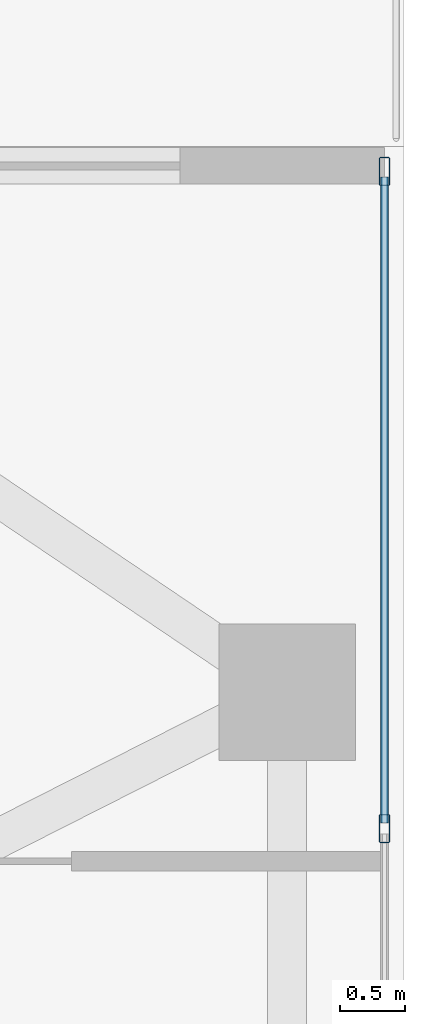
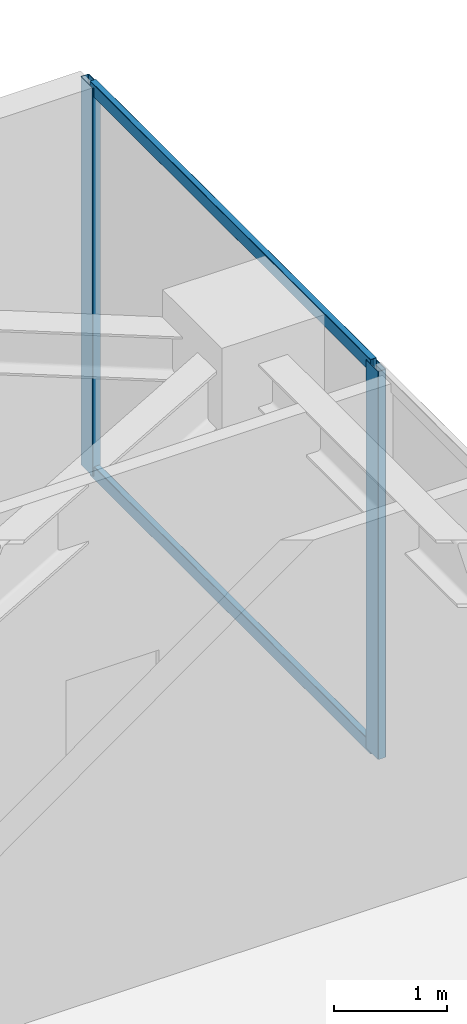
# One storey, part 25 of 37: 4 members, 1 element without a shape of its own.
"""IFC4 building model written with IfcOpenShell, lengths in metres."""

import ifcopenshell
import ifcopenshell.guid

model = None  # the IFC model being written
_history = None  # IfcOwnerHistory: only IFC2X3 demands one
_inside = {}  # id of a spatial element -> (the spatial element, [elements in it])
_under = {}  # id of a project, library or spatial element -> (it, [spatial elements below it])
_declared = {}  # id of a project -> (the project, [libraries it declares])
_typed = {}  # id of a type object -> (the type object, [elements of that type])
_made_of = {}  # id of a material, layer set ... -> (it, [elements and type objects made of it])


def new_model(schema):
    """Start an empty IFC model of exactly this schema.

    Asked for "IFC4X3", IfcOpenShell would pick the latest addendum, in which some entities
    have other attributes; the version numbers below select the first issue.
    IFC2X3 requires an IfcOwnerHistory on every rooted entity: one is made here for all.
    """
    global model, _history
    if schema == "IFC4X3":
        model = ifcopenshell.file(schema_version=(4, 3, 0, 0))
    else:
        model = ifcopenshell.file(schema=schema)
    _inside.clear()
    _under.clear()
    _declared.clear()
    _typed.clear()
    _made_of.clear()
    _history = None
    if model.schema == "IFC2X3":
        org = make("IfcOrganization", Name="unknown")
        user = make(
            "IfcPersonAndOrganization",
            ThePerson=make("IfcPerson", FamilyName="unknown"),
            TheOrganization=org,
        )
        app = make(
            "IfcApplication",
            ApplicationDeveloper=org,
            Version="unknown",
            ApplicationFullName="unknown",
            ApplicationIdentifier="unknown",
        )
        _history = make(
            "IfcOwnerHistory",
            OwningUser=user,
            OwningApplication=app,
            ChangeAction="ADDED",
            CreationDate=0,
        )
    return model


def make(cls, **values):
    """One entity of the class cls with the attributes given. An attribute that is None is left unset."""
    return model.create_entity(
        cls, **{name: value for name, value in values.items() if value is not None}
    )


def rooted(cls, **values):
    """An entity with a GlobalId (a new one), such as an element, a storey or a relation."""
    return make(cls, GlobalId=ifcopenshell.guid.new(), OwnerHistory=_history, **values)


def si_unit(unit_type, name, prefix=None):
    """IfcSIUnit, for example si_unit("LENGTHUNIT", "METRE", prefix="MILLI")."""
    return make("IfcSIUnit", UnitType=unit_type, Prefix=prefix, Name=name)


def assignment(units):
    """IfcUnitAssignment: the units of a project."""
    return None if units is None else make("IfcUnitAssignment", Units=units)


def point(xyz):
    """IfcCartesianPoint."""
    return None if xyz is None else make("IfcCartesianPoint", Coordinates=xyz)


def direction(xyz):
    """IfcDirection."""
    return None if xyz is None else make("IfcDirection", DirectionRatios=xyz)


def frame(location, z_axis=None, x_axis=None):
    """IfcAxis2Placement3D, a coordinate frame: its origin and axes. An axis left out is left unset."""
    return make(
        "IfcAxis2Placement3D",
        Location=point(location),
        Axis=direction(z_axis),
        RefDirection=direction(x_axis),
    )


def frame_2d(location, x_axis=None):
    """IfcAxis2Placement2D, a coordinate frame in the plane: its origin and x axis."""
    return make(
        "IfcAxis2Placement2D", Location=point(location), RefDirection=direction(x_axis)
    )


def origin():
    """The frame at (0, 0, 0) with its axes left unset."""
    return frame((0.0, 0.0, 0.0))


def origin_2d():
    """The frame at (0, 0) in the plane with its x axis left unset."""
    return frame_2d((0.0, 0.0))


def place(relative_to, where):
    """IfcLocalPlacement: puts the frame where relative to a parent placement (None: the world)."""
    return make(
        "IfcLocalPlacement", PlacementRelTo=relative_to, RelativePlacement=where
    )


def context(
    kind, dimensions, precision=None, world=None, true_north=None, identifier=None
):
    """IfcGeometricRepresentationContext, for example the 3D "Model" context."""
    return make(
        "IfcGeometricRepresentationContext",
        ContextIdentifier=identifier,
        ContextType=kind,
        CoordinateSpaceDimension=dimensions,
        Precision=precision,
        WorldCoordinateSystem=world,
        TrueNorth=true_north,
    )


def subcontext(parent, identifier, kind, view, scale=None):
    """IfcGeometricRepresentationSubContext, for example "Body" below "Model"."""
    return make(
        "IfcGeometricRepresentationSubContext",
        ContextIdentifier=identifier,
        ContextType=kind,
        ParentContext=parent,
        TargetScale=scale,
        TargetView=view,
    )


def project(units=None, contexts=None):
    """IfcProject with its units and contexts."""
    return rooted(
        "IfcProject",
        Name="project",
        RepresentationContexts=contexts,
        UnitsInContext=assignment(units),
    )


def spatial(cls, under=None, at=None, **own):
    """A site, building, storey or space (cls), placed at a placement, below another one or the project."""
    s = rooted(cls, ObjectPlacement=at, **own)
    if under is not None:
        _under.setdefault(under.id(), (under, []))[1].append(s)
    return s


def profile(cls, at=None, kind="AREA", **sizes):
    """A parametric profile (cls). Its sizes go by their IFC names, for example OverallWidth=200.0."""
    return make(cls, ProfileType=kind, Position=at, **sizes)


def hollow_rectangle(**sizes):
    """IfcRectangleHollowProfileDef."""
    return profile("IfcRectangleHollowProfileDef", **sizes)


def extrude(swept, where, along, depth):
    """IfcExtrudedAreaSolid: the profile swept, set in the frame where, extruded along a direction by depth."""
    return make(
        "IfcExtrudedAreaSolid",
        SweptArea=swept,
        Position=where,
        ExtrudedDirection=direction(along),
        Depth=depth,
    )


def shape(context_of_items, identifier, shape_type, items):
    """IfcShapeRepresentation: the items that make up one representation, for example the "Body"."""
    return make(
        "IfcShapeRepresentation",
        ContextOfItems=context_of_items,
        RepresentationIdentifier=identifier,
        RepresentationType=shape_type,
        Items=items,
    )


def material(Name=None, Category=None):
    """IfcMaterial."""
    return make("IfcMaterial", Name=Name, Category=Category)


def layer(
    of_material, thickness, ventilated=None, Name=None, Category=None, Priority=None
):
    """IfcMaterialLayer: one layer of a wall or slab, of a material (None: an air gap)."""
    return make(
        "IfcMaterialLayer",
        Material=of_material,
        LayerThickness=thickness,
        IsVentilated=ventilated,
        Name=Name,
        Category=Category,
        Priority=Priority,
    )


def layer_set(layers, Name=None):
    """IfcMaterialLayerSet."""
    return make("IfcMaterialLayerSet", MaterialLayers=layers, LayerSetName=Name)


def material_profile(
    of_material, cross_section, Name=None, Category=None, Priority=None
):
    """IfcMaterialProfile: a cross section and its material."""
    return make(
        "IfcMaterialProfile",
        Name=Name,
        Material=of_material,
        Profile=cross_section,
        Priority=Priority,
        Category=Category,
    )


def profile_set(profiles, Name=None, composite=None):
    """IfcMaterialProfileSet."""
    return make(
        "IfcMaterialProfileSet",
        Name=Name,
        MaterialProfiles=profiles,
        CompositeProfile=composite,
    )


def made_of(thing, what):
    """Note that an element or type object is made of a material, layer set ...; save() writes the relation."""
    if what is not None:
        _made_of.setdefault(what.id(), (what, []))[1].append(thing)
    return thing


def type_object(cls, material=None, **own):
    """A type object (cls), such as IfcWallType, which elements share."""
    return made_of(rooted(cls, **own), material)


def element(
    cls,
    number,
    at=None,
    inside=None,
    cuts=None,
    type_object=None,
    material=None,
    context=None,
    identifier="Body",
    shape_type=None,
    held_by="IfcProductDefinitionShape",
    body=None,
    shapes=None,
    **own,
):
    """One element of the class cls, such as IfcWall. Its Tag is "e" and its number.

    at: its placement. inside: the storey or other place that contains it. cuts: it is an
    opening in that element (IfcRelVoidsElement). A single representation is given by context,
    identifier, shape_type and body (its items); several are given by shapes. held_by: the class
    of the entity that holds the representations. save() writes the other relations.
    """
    e = rooted(cls, Tag="e%d" % number, ObjectPlacement=at, **own)
    if body is not None:
        shapes = [shape(context, identifier, shape_type, body)]
    if shapes is not None:
        e.Representation = make(held_by, Representations=shapes)
    if inside is not None:
        _inside.setdefault(inside.id(), (inside, []))[1].append(e)
    if cuts is not None:
        rooted(
            "IfcRelVoidsElement", RelatingBuildingElement=cuts, RelatedOpeningElement=e
        )
    if type_object is not None:
        _typed.setdefault(type_object.id(), (type_object, []))[1].append(e)
    return made_of(e, material)


def aggregate(whole, parts):
    """IfcRelAggregates: a whole, such as a stair, and the parts it consists of."""
    return rooted("IfcRelAggregates", RelatingObject=whole, RelatedObjects=parts)


def save(model, path):
    """Write the relations noted so far, then the file.

    IfcRelAggregates (storeys below a building ...), IfcRelContainedInSpatialStructure (elements
    in a storey), IfcRelDefinesByType, IfcRelAssociatesMaterial and IfcRelDeclares: one each for
    every whole, place, type object, material and project.
    """
    for whole, parts in _under.values():
        aggregate(whole, parts)
    for where, things in _inside.values():
        rooted(
            "IfcRelContainedInSpatialStructure",
            RelatedElements=things,
            RelatingStructure=where,
        )
    for kind, things in _typed.values():
        rooted("IfcRelDefinesByType", RelatedObjects=things, RelatingType=kind)
    for what, things in _made_of.values():
        rooted("IfcRelAssociatesMaterial", RelatedObjects=things, RelatingMaterial=what)
    for by, libraries in _declared.values():
        rooted("IfcRelDeclares", RelatingContext=by, RelatedDefinitions=libraries)
    model.write(path)


model = new_model("IFC4")

# Units and contexts
model_context = context("Model", 3, precision=1e-05, world=origin(), true_north=direction((0.0, 1.0)))
body_context = subcontext(model_context, "Body", "Model", "MODEL_VIEW")
ifc_project = project(units=[si_unit("LENGTHUNIT", "METRE"), si_unit("AREAUNIT", "SQUARE_METRE"), si_unit("VOLUMEUNIT", "CUBIC_METRE"), si_unit("PLANEANGLEUNIT", "RADIAN"), si_unit("MASSUNIT", "GRAM", prefix="KILO")], contexts=[model_context])

# Site, building, storey
site_placement = place(None, origin())
site = spatial("IfcSite", under=ifc_project, at=site_placement, CompositionType="ELEMENT")
building_placement = place(site_placement, origin())
building = spatial("IfcBuilding", under=site, at=building_placement, Name="Tarnavaz Court Tower", CompositionType="ELEMENT")
storey_placement = place(building_placement, frame((0.0, 0.0, 118.5)))
storey = spatial("IfcBuildingStorey", under=building, at=storey_placement, Name="L32", CompositionType="ELEMENT", Elevation=118.5)

# Curtain wall, members
ifc_material_1 = material(Name="Anodised Aluminium 6063-T6 and Solar Low-E Glazing", Category="aluminium")
ifc_layer = layer(ifc_material_1, 0.199951171875)
ifc_layer_set = layer_set([ifc_layer], Name="Anodised Aluminium 6063-T6 and Solar Low-E Glazing")
curtain_wall_type = type_object("IfcCurtainWallType", Name="CW-SYS-05", PredefinedType="NOTDEFINED", material=ifc_layer_set)
curtain_wall_placement = place(storey_placement, origin())
curtain_wall = element("IfcCurtainWall", 1, at=curtain_wall_placement, inside=storey, type_object=curtain_wall_type, Name="L32 Sky-Portal Curtain Wall 12", PredefinedType="NOTDEFINED")
ifc_material_2 = material(Name="Anodised Aluminium 6063-T6", Category="aluminium")
ifc_material_profile_1 = material_profile(ifc_material_2, hollow_rectangle(XDim=0.0849609375, YDim=0.219970703125, WallThickness=0.006103515625, InnerFilletRadius=0.006103515625, OuterFilletRadius=0.011962890625, at=origin_2d()), Name="ALU RHS 220X85X6")
ifc_profile_set_1 = profile_set([ifc_material_profile_1], Name="Anodised Aluminium 6063-T6")
member_type_1 = type_object("IfcMemberType", Name="CW-MUL-220", PredefinedType="MULLION", material=ifc_profile_set_1)
member_1_placement = place(storey_placement, frame((26.85009765625, 17.8076171875, 0.0), z_axis=(0.0, 0.0, 1.0), x_axis=(1.0, 0.0, 0.0)))
member_1 = element("IfcMember", 2, at=member_1_placement, type_object=member_type_1, Name="CW mullion 1", PredefinedType="MULLION", context=body_context, shape_type="SweptSolid", body=[
    extrude(hollow_rectangle(XDim=0.0849609375, YDim=0.219970703125, WallThickness=0.006103515625, InnerFilletRadius=0.006103515625, OuterFilletRadius=0.011962890625, at=origin_2d()), origin(), (0.0, 0.0, 1.0), 4.199951171875),
])
member_2_placement = place(storey_placement, frame((26.85009765625, 12.75, 0.0), z_axis=(0.0, 0.0, 1.0), x_axis=(1.0, 0.0, 0.0)))
member_2 = element("IfcMember", 3, at=member_2_placement, type_object=member_type_1, Name="CW mullion 2", PredefinedType="MULLION", context=body_context, shape_type="SweptSolid", body=[
    extrude(hollow_rectangle(XDim=0.0849609375, YDim=0.219970703125, WallThickness=0.006103515625, InnerFilletRadius=0.006103515625, OuterFilletRadius=0.011962890625, at=origin_2d()), origin(), (0.0, 0.0, 1.0), 4.199951171875),
])
ifc_material_profile_2 = material_profile(ifc_material_2, hollow_rectangle(XDim=0.06494140625, YDim=0.139892578125, WallThickness=0.00390625, InnerFilletRadius=0.00390625, OuterFilletRadius=0.008056640625, at=origin_2d()), Name="ALU RHS 140X65X4")
ifc_profile_set_2 = profile_set([ifc_material_profile_2], Name="Anodised Aluminium 6063-T6")
member_type_2 = type_object("IfcMemberType", Name="CW-TRN-140", PredefinedType="USERDEFINED", material=ifc_profile_set_2)
member_3_placement = place(storey_placement, frame((26.85009765625, 17.764892578125, 0.032470703125), z_axis=(0.0, -1.0, 0.0), x_axis=(1.0, 0.0, 0.0)))
member_3 = element("IfcMember", 4, at=member_3_placement, type_object=member_type_2, Name="CW transom 1.1", ObjectType="TRANSOM", PredefinedType="USERDEFINED", context=body_context, shape_type="SweptSolid", body=[
    extrude(hollow_rectangle(XDim=0.06494140625, YDim=0.139892578125, WallThickness=0.00390625, InnerFilletRadius=0.00390625, OuterFilletRadius=0.008056640625, at=origin_2d()), origin(), (0.0, 0.0, 1.0), 4.972412109375),
])
member_4_placement = place(storey_placement, frame((26.85009765625, 17.764892578125, 4.16748046875), z_axis=(0.0, -1.0, 0.0), x_axis=(1.0, 0.0, 0.0)))
member_4 = element("IfcMember", 5, at=member_4_placement, type_object=member_type_2, Name="CW transom 1.2", ObjectType="TRANSOM", PredefinedType="USERDEFINED", context=body_context, shape_type="SweptSolid", body=[
    extrude(hollow_rectangle(XDim=0.06494140625, YDim=0.139892578125, WallThickness=0.00390625, InnerFilletRadius=0.00390625, OuterFilletRadius=0.008056640625, at=origin_2d()), origin(), (0.0, 0.0, 1.0), 4.972412109375),
])
aggregate(curtain_wall, [member_1, member_2, member_3, member_4])

save(model, "model.ifc")
